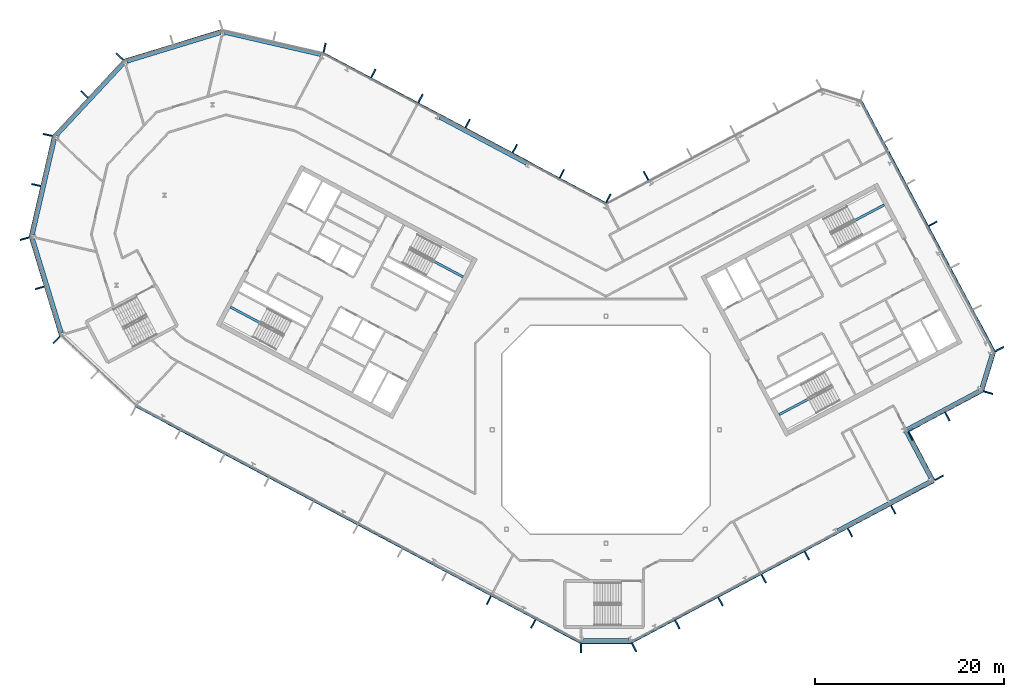
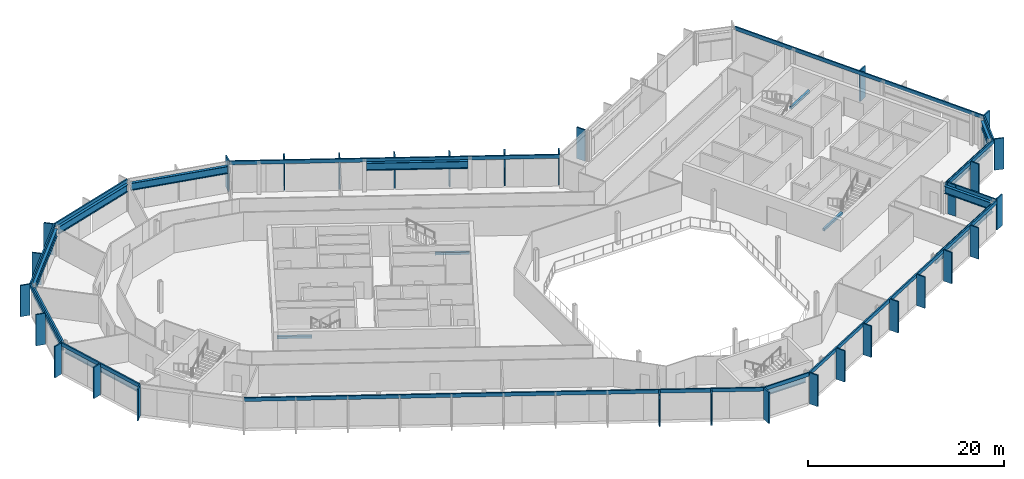
# One storey, part 9 of 26: 43 members, 15 beams, 15 elements without a shape of their own.
"""IFC4 building model written with IfcOpenShell, lengths in metres."""

from ifc_helpers import new_model, si_unit, direction, frame, origin, origin_2d, place, context, subcontext, project, spatial, rectangle, i_section, extrude, material, layer, layer_set, material_profile, profile_set, type_object, element, aggregate, save


model = new_model("IFC4")

# Units and contexts
model_context = context("Model", 3, precision=1e-05, world=origin(), true_north=direction((0.0, 1.0)))
body_context = subcontext(model_context, "Body", "Model", "MODEL_VIEW")
ifc_project = project(units=[si_unit("LENGTHUNIT", "METRE"), si_unit("AREAUNIT", "SQUARE_METRE"), si_unit("VOLUMEUNIT", "CUBIC_METRE"), si_unit("PLANEANGLEUNIT", "RADIAN"), si_unit("MASSUNIT", "GRAM", prefix="KILO")], contexts=[model_context])

# Site, building, storey
site_placement = place(None, origin())
site = spatial("IfcSite", under=ifc_project, at=site_placement, CompositionType="ELEMENT")
building_placement = place(site_placement, origin())
building = spatial("IfcBuilding", under=site, at=building_placement, Name="Cormorant Relay Tower", CompositionType="ELEMENT")
storey_placement = place(building_placement, frame((0.0, 0.0, 285.300048828125)))
storey = spatial("IfcBuildingStorey", under=building, at=storey_placement, Name="L64", CompositionType="ELEMENT", Elevation=285.300048828125)

# Curtain wall, member
ifc_material_1 = material(Name="Aluminium 6063-T6 anodised bronze", Category="aluminium")
ifc_layer = layer(ifc_material_1, 0.199951171875)
ifc_layer_set = layer_set([ifc_layer], Name="CW1 unitised bronze curtain wall with vertical fins")
curtain_wall_type = type_object("IfcCurtainWallType", Name="CW1 unitised bronze curtain wall with vertical fins", PredefinedType="NOTDEFINED", material=ifc_layer_set)
curtain_wall_1_placement = place(storey_placement, origin())
curtain_wall_1 = element("IfcCurtainWall", 1, at=curtain_wall_1_placement, inside=storey, type_object=curtain_wall_type, Name="CW1 curtain wall 1", PredefinedType="NOTDEFINED")
ifc_material_2 = material(Name="Aluminium 6063-T6 anodised bronze", Category="aluminium")
ifc_material_profile_1 = material_profile(ifc_material_2, rectangle(XDim=0.14990234375, YDim=1.0, at=origin_2d()), Name="AL 150x1000")
ifc_profile_set_1 = profile_set([ifc_material_profile_1], Name="Aluminium 6063-T6 anodised bronze")
member_type_1 = type_object("IfcMemberType", Name="CW1 bronze fin mullion 150 x 1000", PredefinedType="MULLION", material=ifc_profile_set_1)
member_1_placement = place(storey_placement, frame((-2.648681640625, -23.07568359375, 0.0), z_axis=(0.0, 0.0, 1.0), x_axis=(1.0, 0.0, 0.0)))
member_1 = element("IfcMember", 2, at=member_1_placement, type_object=member_type_1, Name="CW1 fin 1.1", PredefinedType="MULLION", context=body_context, shape_type="SweptSolid", body=[
    extrude(rectangle(XDim=0.14990234375, YDim=1.0, at=origin_2d()), origin(), (0.0, 0.0, 1.0), 3.89990234375),
])

# Curtain wall, members
curtain_wall_2_placement = place(storey_placement, origin())
curtain_wall_2 = element("IfcCurtainWall", 3, at=curtain_wall_2_placement, inside=storey, type_object=curtain_wall_type, Name="CW1 curtain wall 2", PredefinedType="NOTDEFINED")
member_2_placement = place(storey_placement, frame((2.9775390625, -22.99365234375, 0.0), z_axis=(0.0, 0.0, 1.0), x_axis=(0.882947592859, 0.469471562786, 0.0)))
member_2 = element("IfcMember", 4, at=member_2_placement, type_object=member_type_1, Name="CW1 fin 2.1", PredefinedType="MULLION", context=body_context, shape_type="SweptSolid", body=[
    extrude(rectangle(XDim=0.14990234375, YDim=1.0, at=origin_2d()), origin(), (0.0, 0.0, 1.0), 3.89990234375),
])
member_3_placement = place(storey_placement, frame((7.539306640625, -20.568115234375, 0.0), z_axis=(0.0, 0.0, 1.0), x_axis=(0.882947592859, 0.469471562786, 0.0)))
member_3 = element("IfcMember", 5, at=member_3_placement, type_object=member_type_1, Name="CW1 fin 2.2", PredefinedType="MULLION", context=body_context, shape_type="SweptSolid", body=[
    extrude(rectangle(XDim=0.14990234375, YDim=1.0, at=origin_2d()), origin(), (0.0, 0.0, 1.0), 3.89990234375),
])
member_4_placement = place(storey_placement, frame((12.10107421875, -18.142578125, 0.0), z_axis=(0.0, 0.0, 1.0), x_axis=(0.882947592859, 0.469471562786, 0.0)))
member_4 = element("IfcMember", 6, at=member_4_placement, type_object=member_type_1, Name="CW1 fin 2.3", PredefinedType="MULLION", context=body_context, shape_type="SweptSolid", body=[
    extrude(rectangle(XDim=0.14990234375, YDim=1.0, at=origin_2d()), origin(), (0.0, 0.0, 1.0), 3.89990234375),
])
member_5_placement = place(storey_placement, frame((16.662841796875, -15.717041015625, 0.0), z_axis=(0.0, 0.0, 1.0), x_axis=(0.882947592859, 0.469471562786, 0.0)))
member_5 = element("IfcMember", 7, at=member_5_placement, type_object=member_type_1, Name="CW1 fin 2.4", PredefinedType="MULLION", context=body_context, shape_type="SweptSolid", body=[
    extrude(rectangle(XDim=0.14990234375, YDim=1.0, at=origin_2d()), origin(), (0.0, 0.0, 1.0), 3.89990234375),
])
member_6_placement = place(storey_placement, frame((21.224609375, -13.29150390625, 0.0), z_axis=(0.0, 0.0, 1.0), x_axis=(0.882947592859, 0.469471562786, 0.0)))
member_6 = element("IfcMember", 8, at=member_6_placement, type_object=member_type_1, Name="CW1 fin 2.5", PredefinedType="MULLION", context=body_context, shape_type="SweptSolid", body=[
    extrude(rectangle(XDim=0.14990234375, YDim=1.0, at=origin_2d()), origin(), (0.0, 0.0, 1.0), 3.89990234375),
])
member_7_placement = place(storey_placement, frame((25.78662109375, -10.865966796875, 0.0), z_axis=(0.0, 0.0, 1.0), x_axis=(0.882947592859, 0.469471562786, 0.0)))
member_7 = element("IfcMember", 9, at=member_7_placement, type_object=member_type_1, Name="CW1 fin 2.6", PredefinedType="MULLION", context=body_context, shape_type="SweptSolid", body=[
    extrude(rectangle(XDim=0.14990234375, YDim=1.0, at=origin_2d()), origin(), (0.0, 0.0, 1.0), 3.89990234375),
])
member_8_placement = place(storey_placement, frame((30.348388671875, -8.440185546875, 0.0), z_axis=(0.0, 0.0, 1.0), x_axis=(0.882947592859, 0.469471562786, 0.0)))
member_8 = element("IfcMember", 10, at=member_8_placement, type_object=member_type_1, Name="CW1 fin 2.7", PredefinedType="MULLION", context=body_context, shape_type="SweptSolid", body=[
    extrude(rectangle(XDim=0.14990234375, YDim=1.0, at=origin_2d()), origin(), (0.0, 0.0, 1.0), 3.89990234375),
])

# Curtain wall, member
curtain_wall_3_placement = place(storey_placement, origin())
curtain_wall_3 = element("IfcCurtainWall", 11, at=curtain_wall_3_placement, inside=storey, type_object=curtain_wall_type, Name="CW1 curtain wall 3", PredefinedType="NOTDEFINED")
member_9_placement = place(storey_placement, frame((35.199462890625, -5.068115234375, 0.0), z_axis=(0.0, 0.0, 1.0), x_axis=(-0.469471562786, 0.882947592859, 0.0)))
member_9 = element("IfcMember", 12, at=member_9_placement, type_object=member_type_1, Name="CW1 fin 3.1", PredefinedType="MULLION", context=body_context, shape_type="SweptSolid", body=[
    extrude(rectangle(XDim=0.14990234375, YDim=1.0, at=origin_2d()), origin(), (0.0, 0.0, 1.0), 3.89990234375),
])

# Curtain wall, members
curtain_wall_4_placement = place(storey_placement, origin())
curtain_wall_4 = element("IfcCurtainWall", 13, at=curtain_wall_4_placement, inside=storey, type_object=curtain_wall_type, Name="CW1 curtain wall 4", PredefinedType="NOTDEFINED")
member_10_placement = place(storey_placement, frame((32.159423828125, -0.681884765625, 0.0), z_axis=(0.0, 0.0, 1.0), x_axis=(0.882947592859, 0.469471562786, 0.0)))
member_10 = element("IfcMember", 14, at=member_10_placement, type_object=member_type_1, Name="CW1 fin 4.1", PredefinedType="MULLION", context=body_context, shape_type="SweptSolid", body=[
    extrude(rectangle(XDim=0.14990234375, YDim=1.0, at=origin_2d()), origin(), (0.0, 0.0, 1.0), 3.89990234375),
])
member_11_placement = place(storey_placement, frame((36.06640625, 1.3955078125, 0.0), z_axis=(0.0, 0.0, 1.0), x_axis=(0.882947592859, 0.469471562786, 0.0)))
member_11 = element("IfcMember", 15, at=member_11_placement, type_object=member_type_1, Name="CW1 fin 4.2", PredefinedType="MULLION", context=body_context, shape_type="SweptSolid", body=[
    extrude(rectangle(XDim=0.14990234375, YDim=1.0, at=origin_2d()), origin(), (0.0, 0.0, 1.0), 3.89990234375),
])

# Curtain wall, member
curtain_wall_5_placement = place(storey_placement, origin())
curtain_wall_5 = element("IfcCurtainWall", 16, at=curtain_wall_5_placement, inside=storey, type_object=curtain_wall_type, Name="CW1 curtain wall 5", PredefinedType="NOTDEFINED")
member_12_placement = place(storey_placement, frame((40.380615234375, 3.921630859375, 0.0), z_axis=(0.0, 0.0, 1.0), x_axis=(0.292371704723, 0.956304755963, 0.0)))
member_12 = element("IfcMember", 17, at=member_12_placement, type_object=member_type_1, Name="CW1 fin 5.1", PredefinedType="MULLION", context=body_context, shape_type="SweptSolid", body=[
    extrude(rectangle(XDim=0.14990234375, YDim=1.0, at=origin_2d()), origin(), (0.0, 0.0, 1.0), 3.89990234375),
])

# Curtain wall, members
curtain_wall_6_placement = place(storey_placement, origin())
curtain_wall_6 = element("IfcCurtainWall", 18, at=curtain_wall_6_placement, inside=storey, type_object=curtain_wall_type, Name="CW1 curtain wall 6", PredefinedType="NOTDEFINED")
member_13_placement = place(storey_placement, frame((41.569580078125, 8.51220703125, 0.0), z_axis=(0.0, 0.0, 1.0), x_axis=(-0.469471562786, 0.882947592859, 0.0)))
member_13 = element("IfcMember", 19, at=member_13_placement, type_object=member_type_1, Name="CW1 fin 6.1", PredefinedType="MULLION", context=body_context, shape_type="SweptSolid", body=[
    extrude(rectangle(XDim=0.14990234375, YDim=1.0, at=origin_2d()), origin(), (0.0, 0.0, 1.0), 3.89990234375),
])
member_14_placement = place(storey_placement, frame((34.527587890625, 21.75634765625, 0.0), z_axis=(0.0, 0.0, 1.0), x_axis=(-0.469471562786, 0.882947592859, 0.0)))
member_14 = element("IfcMember", 20, at=member_14_placement, type_object=member_type_1, Name="CW1 fin 6.4", PredefinedType="MULLION", context=body_context, shape_type="SweptSolid", body=[
    extrude(rectangle(XDim=0.14990234375, YDim=1.0, at=origin_2d()), origin(), (0.0, 0.0, 1.0), 3.89990234375),
])

# Curtain wall, member
curtain_wall_7_placement = place(storey_placement, origin())
curtain_wall_7 = element("IfcCurtainWall", 21, at=curtain_wall_7_placement, inside=storey, type_object=curtain_wall_type, Name="CW1 curtain wall 8", PredefinedType="NOTDEFINED")
member_15_placement = place(storey_placement, frame((4.2333984375, 26.82763671875, 0.0), z_axis=(0.0, 0.0, 1.0), x_axis=(-0.882947592859, -0.469471562786, 0.0)))
member_15 = element("IfcMember", 22, at=member_15_placement, type_object=member_type_1, Name="CW1 fin 8.5", PredefinedType="MULLION", context=body_context, shape_type="SweptSolid", body=[
    extrude(rectangle(XDim=0.14990234375, YDim=1.0, at=origin_2d()), origin(), (0.0, 0.0, 1.0), 3.89990234375),
])
aggregate(curtain_wall_7, [member_15])

# Curtain wall, members
curtain_wall_8_placement = place(storey_placement, origin())
curtain_wall_8 = element("IfcCurtainWall", 23, at=curtain_wall_8_placement, inside=storey, type_object=curtain_wall_type, Name="CW1 curtain wall 9", PredefinedType="NOTDEFINED")
member_16_placement = place(storey_placement, frame((0.262451171875, 24.437255859375, 0.0), z_axis=(0.0, 0.0, 1.0), x_axis=(-0.882947592859, 0.469471562786, 0.0)))
member_16 = element("IfcMember", 24, at=member_16_placement, type_object=member_type_1, Name="CW1 fin 9.1", PredefinedType="MULLION", context=body_context, shape_type="SweptSolid", body=[
    extrude(rectangle(XDim=0.14990234375, YDim=1.0, at=origin_2d()), origin(), (0.0, 0.0, 1.0), 3.89990234375),
])
member_17_placement = place(storey_placement, frame((-4.650390625, 27.04931640625, 0.0), z_axis=(0.0, 0.0, 1.0), x_axis=(-0.882947592859, 0.469471562786, 0.0)))
member_17 = element("IfcMember", 25, at=member_17_placement, type_object=member_type_1, Name="CW1 fin 9.2", PredefinedType="MULLION", context=body_context, shape_type="SweptSolid", body=[
    extrude(rectangle(XDim=0.14990234375, YDim=1.0, at=origin_2d()), origin(), (0.0, 0.0, 1.0), 3.89990234375),
])
member_18_placement = place(storey_placement, frame((-9.62939453125, 29.69677734375, 0.0), z_axis=(0.0, 0.0, 1.0), x_axis=(-0.882947592859, 0.469471562786, 0.0)))
member_18 = element("IfcMember", 26, at=member_18_placement, type_object=member_type_1, Name="CW1 fin 9.3", PredefinedType="MULLION", context=body_context, shape_type="SweptSolid", body=[
    extrude(rectangle(XDim=0.14990234375, YDim=1.0, at=origin_2d()), origin(), (0.0, 0.0, 1.0), 3.89990234375),
])
member_19_placement = place(storey_placement, frame((-14.608154296875, 32.343994140625, 0.0), z_axis=(0.0, 0.0, 1.0), x_axis=(-0.882947592859, 0.469471562786, 0.0)))
member_19 = element("IfcMember", 27, at=member_19_placement, type_object=member_type_1, Name="CW1 fin 9.4", PredefinedType="MULLION", context=body_context, shape_type="SweptSolid", body=[
    extrude(rectangle(XDim=0.14990234375, YDim=1.0, at=origin_2d()), origin(), (0.0, 0.0, 1.0), 3.89990234375),
])
member_20_placement = place(storey_placement, frame((-19.587158203125, 34.991455078125, 0.0), z_axis=(0.0, 0.0, 1.0), x_axis=(-0.882947592859, 0.469471562786, 0.0)))
member_20 = element("IfcMember", 28, at=member_20_placement, type_object=member_type_1, Name="CW1 fin 9.5", PredefinedType="MULLION", context=body_context, shape_type="SweptSolid", body=[
    extrude(rectangle(XDim=0.14990234375, YDim=1.0, at=origin_2d()), origin(), (0.0, 0.0, 1.0), 3.89990234375),
])
member_21_placement = place(storey_placement, frame((-24.566162109375, 37.638916015625, 0.0), z_axis=(0.0, 0.0, 1.0), x_axis=(-0.882947592859, 0.469471562786, 0.0)))
member_21 = element("IfcMember", 29, at=member_21_placement, type_object=member_type_1, Name="CW1 fin 9.6", PredefinedType="MULLION", context=body_context, shape_type="SweptSolid", body=[
    extrude(rectangle(XDim=0.14990234375, YDim=1.0, at=origin_2d()), origin(), (0.0, 0.0, 1.0), 3.89990234375),
])

# Curtain wall, member
curtain_wall_9_placement = place(storey_placement, origin())
curtain_wall_9 = element("IfcCurtainWall", 30, at=curtain_wall_9_placement, inside=storey, type_object=curtain_wall_type, Name="CW1 curtain wall 10", PredefinedType="NOTDEFINED")
member_22_placement = place(storey_placement, frame((-29.71630859375, 40.35009765625, 0.0), z_axis=(0.0, 0.0, 1.0), x_axis=(-0.974370064785, 0.224951054344, 0.0)))
member_22 = element("IfcMember", 31, at=member_22_placement, type_object=member_type_1, Name="CW1 fin 10.1", PredefinedType="MULLION", context=body_context, shape_type="SweptSolid", body=[
    extrude(rectangle(XDim=0.14990234375, YDim=1.0, at=origin_2d()), origin(), (0.0, 0.0, 1.0), 3.89990234375),
])
aggregate(curtain_wall_9, [member_22])

# Curtain wall, members
curtain_wall_10_placement = place(storey_placement, origin())
curtain_wall_10 = element("IfcCurtainWall", 32, at=curtain_wall_10_placement, inside=storey, type_object=curtain_wall_type, Name="CW1 curtain wall 12", PredefinedType="NOTDEFINED")
member_23_placement = place(storey_placement, frame((-51.372802734375, 39.41259765625, 0.0), z_axis=(0.0, 0.0, 1.0), x_axis=(-0.681998360062, -0.731353701619, 0.0)))
member_23 = element("IfcMember", 33, at=member_23_placement, type_object=member_type_1, Name="CW1 fin 12.1", PredefinedType="MULLION", context=body_context, shape_type="SweptSolid", body=[
    extrude(rectangle(XDim=0.14990234375, YDim=1.0, at=origin_2d()), origin(), (0.0, 0.0, 1.0), 3.89990234375),
])
member_24_placement = place(storey_placement, frame((-55.07958984375, 35.4375, 0.0), z_axis=(0.0, 0.0, 1.0), x_axis=(-0.681998360062, -0.731353701619, 0.0)))
member_24 = element("IfcMember", 34, at=member_24_placement, type_object=member_type_1, Name="CW1 fin 12.2", PredefinedType="MULLION", context=body_context, shape_type="SweptSolid", body=[
    extrude(rectangle(XDim=0.14990234375, YDim=1.0, at=origin_2d()), origin(), (0.0, 0.0, 1.0), 3.89990234375),
])

curtain_wall_11_placement = place(storey_placement, origin())
curtain_wall_11 = element("IfcCurtainWall", 35, at=curtain_wall_11_placement, inside=storey, type_object=curtain_wall_type, Name="CW1 curtain wall 13", PredefinedType="NOTDEFINED")
member_25_placement = place(storey_placement, frame((-58.95654296875, 31.142578125, 0.0), z_axis=(0.0, 0.0, 1.0), x_axis=(-0.224951054344, -0.974370064785, 0.0)))
member_25 = element("IfcMember", 36, at=member_25_placement, type_object=member_type_1, Name="CW1 fin 13.1", PredefinedType="MULLION", context=body_context, shape_type="SweptSolid", body=[
    extrude(rectangle(XDim=0.14990234375, YDim=1.0, at=origin_2d()), origin(), (0.0, 0.0, 1.0), 3.89990234375),
])
member_26_placement = place(storey_placement, frame((-60.17919921875, 25.8466796875, 0.0), z_axis=(0.0, 0.0, 1.0), x_axis=(-0.224951054344, -0.974370064785, 0.0)))
member_26 = element("IfcMember", 37, at=member_26_placement, type_object=member_type_1, Name="CW1 fin 13.2", PredefinedType="MULLION", context=body_context, shape_type="SweptSolid", body=[
    extrude(rectangle(XDim=0.14990234375, YDim=1.0, at=origin_2d()), origin(), (0.0, 0.0, 1.0), 3.89990234375),
])

curtain_wall_12_placement = place(storey_placement, origin())
curtain_wall_12 = element("IfcCurtainWall", 38, at=curtain_wall_12_placement, inside=storey, type_object=curtain_wall_type, Name="CW1 curtain wall 14", PredefinedType="NOTDEFINED")
member_27_placement = place(storey_placement, frame((-61.389404296875, 20.188720703125, 0.0), z_axis=(0.0, 0.0, 1.0), x_axis=(0.292371704723, -0.956304755963, 0.0)))
member_27 = element("IfcMember", 39, at=member_27_placement, type_object=member_type_1, Name="CW1 fin 14.1", PredefinedType="MULLION", context=body_context, shape_type="SweptSolid", body=[
    extrude(rectangle(XDim=0.14990234375, YDim=1.0, at=origin_2d()), origin(), (0.0, 0.0, 1.0), 3.89990234375),
])
member_28_placement = place(storey_placement, frame((-59.80029296875, 14.990966796875, 0.0), z_axis=(0.0, 0.0, 1.0), x_axis=(0.292371704723, -0.956304755963, 0.0)))
member_28 = element("IfcMember", 40, at=member_28_placement, type_object=member_type_1, Name="CW1 fin 14.2", PredefinedType="MULLION", context=body_context, shape_type="SweptSolid", body=[
    extrude(rectangle(XDim=0.14990234375, YDim=1.0, at=origin_2d()), origin(), (0.0, 0.0, 1.0), 3.89990234375),
])

# Curtain wall, member
curtain_wall_13_placement = place(storey_placement, origin())
curtain_wall_13 = element("IfcCurtainWall", 41, at=curtain_wall_13_placement, inside=storey, type_object=curtain_wall_type, Name="CW1 curtain wall 15", PredefinedType="NOTDEFINED")
member_29_placement = place(storey_placement, frame((-58.01904296875, 9.486083984375, 0.0), z_axis=(0.0, 0.0, 1.0), x_axis=(0.731353701619, -0.681998360062, 0.0)))
member_29 = element("IfcMember", 42, at=member_29_placement, type_object=member_type_1, Name="CW1 fin 15.1", PredefinedType="MULLION", context=body_context, shape_type="SweptSolid", body=[
    extrude(rectangle(XDim=0.14990234375, YDim=1.0, at=origin_2d()), origin(), (0.0, 0.0, 1.0), 3.89990234375),
])
aggregate(curtain_wall_13, [member_29])

# Curtain wall, members
curtain_wall_14_placement = place(storey_placement, origin())
curtain_wall_14 = element("IfcCurtainWall", 43, at=curtain_wall_14_placement, inside=storey, type_object=curtain_wall_type, Name="CW1 curtain wall 16", PredefinedType="NOTDEFINED")
member_30_placement = place(storey_placement, frame((-12.365966796875, -18.001708984375, 0.0), z_axis=(0.0, 0.0, 1.0), x_axis=(0.882947592859, -0.469471562786, 0.0)))
member_30 = element("IfcMember", 44, at=member_30_placement, type_object=member_type_1, Name="CW1 fin 16.9", PredefinedType="MULLION", context=body_context, shape_type="SweptSolid", body=[
    extrude(rectangle(XDim=0.14990234375, YDim=1.0, at=origin_2d()), origin(), (0.0, 0.0, 1.0), 3.89990234375),
])
member_31_placement = place(storey_placement, frame((-7.671630859375, -20.49755859375, 0.0), z_axis=(0.0, 0.0, 1.0), x_axis=(0.882947592859, -0.469471562786, 0.0)))
member_31 = element("IfcMember", 45, at=member_31_placement, type_object=member_type_1, Name="CW1 fin 16.10", PredefinedType="MULLION", context=body_context, shape_type="SweptSolid", body=[
    extrude(rectangle(XDim=0.14990234375, YDim=1.0, at=origin_2d()), origin(), (0.0, 0.0, 1.0), 3.89990234375),
])

# Member
ifc_material_3 = material(Name="Aluminium 6063-T6 anodised bronze", Category="aluminium")
ifc_material_profile_2 = material_profile(ifc_material_3, rectangle(XDim=0.159912109375, YDim=0.449951171875, at=origin_2d()), Name="AL 160x450")
ifc_profile_set_2 = profile_set([ifc_material_profile_2], Name="Aluminium 6063-T6 anodised bronze")
member_type_2 = type_object("IfcMemberType", Name="CW1 bronze transom 160 x 450", PredefinedType="USERDEFINED", material=ifc_profile_set_2)
member_32_placement = place(storey_placement, frame((-2.648681640625, -22.49560546875, 3.675048828125), z_axis=(1.0, 0.0, 0.0), x_axis=(0.0, 1.0, 0.0)))
member_32 = element("IfcMember", 46, at=member_32_placement, type_object=member_type_2, Name="CW1 transom 1", ObjectType="TRANSOM", PredefinedType="USERDEFINED", context=body_context, shape_type="SweptSolid", body=[
    extrude(rectangle(XDim=0.159912109375, YDim=0.449951171875, at=origin_2d()), origin(), (0.0, 0.0, 1.0), 5.29736328125),
])

aggregate(curtain_wall_1, [member_1, member_32])

member_33_placement = place(storey_placement, frame((2.705078125, -22.4814453125, 3.675048828125), z_axis=(0.882948899141, 0.469469106018, 0.0), x_axis=(-0.469469106018, 0.882948899141, 0.0)))
member_33 = element("IfcMember", 47, at=member_33_placement, type_object=member_type_2, Name="CW1 transom 2", ObjectType="TRANSOM", PredefinedType="USERDEFINED", context=body_context, shape_type="SweptSolid", body=[
    extrude(rectangle(XDim=0.159912109375, YDim=0.449951171875, at=origin_2d()), origin(), (0.0, 0.0, 1.0), 36.165771484375),
])

aggregate(curtain_wall_2, [member_2, member_3, member_4, member_5, member_6, member_7, member_8, member_33])

member_34_placement = place(storey_placement, frame((34.6875, -5.34033203125, 3.675048828125), z_axis=(-0.469485426614, 0.882940221191, 0.0), x_axis=(-0.882940221191, -0.469485426614, 0.0)))
member_34 = element("IfcMember", 48, at=member_34_placement, type_object=member_type_2, Name="CW1 transom 3", ObjectType="TRANSOM", PredefinedType="USERDEFINED", context=body_context, shape_type="SweptSolid", body=[
    extrude(rectangle(XDim=0.159912109375, YDim=0.449951171875, at=origin_2d()), origin(), (0.0, 0.0, 1.0), 6.0),
])

aggregate(curtain_wall_3, [member_9, member_34])

member_35_placement = place(storey_placement, frame((31.82080078125, -0.205078125, 3.675048828125), z_axis=(0.882949189538, 0.469468559857, 0.0), x_axis=(-0.469468559857, 0.882949189538, 0.0)))
member_35 = element("IfcMember", 49, at=member_35_placement, type_object=member_type_2, Name="CW1 transom 4", ObjectType="TRANSOM", PredefinedType="USERDEFINED", context=body_context, shape_type="SweptSolid", body=[
    extrude(rectangle(XDim=0.159912109375, YDim=0.449951171875, at=origin_2d()), origin(), (0.0, 0.0, 1.0), 9.000244140625),
])

aggregate(curtain_wall_4, [member_10, member_11, member_35])

member_36_placement = place(storey_placement, frame((39.825927734375, 4.091064453125, 3.675048828125), z_axis=(0.292374957137, 0.956303761594, 0.0), x_axis=(-0.956303761594, 0.292374957137, 0.0)))
member_36 = element("IfcMember", 50, at=member_36_placement, type_object=member_type_2, Name="CW1 transom 5", ObjectType="TRANSOM", PredefinedType="USERDEFINED", context=body_context, shape_type="SweptSolid", body=[
    extrude(rectangle(XDim=0.159912109375, YDim=0.449951171875, at=origin_2d()), origin(), (0.0, 0.0, 1.0), 4.24267578125),
])

aggregate(curtain_wall_5, [member_12, member_36])

member_37_placement = place(storey_placement, frame((41.0576171875, 8.23974609375, 3.675048828125), z_axis=(-0.469472335483, 0.882947182008, 0.0), x_axis=(-0.882947182008, -0.469472335483, 0.0)))
member_37 = element("IfcMember", 51, at=member_37_placement, type_object=member_type_2, Name="CW1 transom 6", ObjectType="TRANSOM", PredefinedType="USERDEFINED", context=body_context, shape_type="SweptSolid", body=[
    extrude(rectangle(XDim=0.159912109375, YDim=0.449951171875, at=origin_2d()), origin(), (0.0, 0.0, 1.0), 30.000244140625),
])

aggregate(curtain_wall_6, [member_13, member_14, member_37])

member_38_placement = place(storey_placement, frame((0.056396484375, 23.889892578125, 3.675048828125), z_axis=(-0.882946280328, 0.46947403129, 0.0), x_axis=(-0.46947403129, -0.882946280328, 0.0)))
member_38 = element("IfcMember", 52, at=member_38_placement, type_object=member_type_2, Name="CW1 transom 9", ObjectType="TRANSOM", PredefinedType="USERDEFINED", context=body_context, shape_type="SweptSolid", body=[
    extrude(rectangle(XDim=0.159912109375, YDim=0.449951171875, at=origin_2d()), origin(), (0.0, 0.0, 1.0), 33.834228515625),
])

aggregate(curtain_wall_8, [member_16, member_17, member_18, member_19, member_20, member_21, member_38])

# Curtain wall, member
curtain_wall_15_placement = place(storey_placement, origin())
curtain_wall_15 = element("IfcCurtainWall", 53, at=curtain_wall_15_placement, inside=storey, type_object=curtain_wall_type, Name="CW1 curtain wall 11", PredefinedType="NOTDEFINED")
member_39_placement = place(storey_placement, frame((-40.50048828125, 42.228271484375, 3.675048828125), z_axis=(-0.956304833932, -0.292371449698, 0.0), x_axis=(0.292371449698, -0.956304833932, 0.0)))
member_39 = element("IfcMember", 54, at=member_39_placement, type_object=member_type_2, Name="CW1 transom 11", ObjectType="TRANSOM", PredefinedType="USERDEFINED", context=body_context, shape_type="SweptSolid", body=[
    extrude(rectangle(XDim=0.159912109375, YDim=0.449951171875, at=origin_2d()), origin(), (0.0, 0.0, 1.0), 10.87060546875),
])
aggregate(curtain_wall_15, [member_39])

# Member
member_40_placement = place(storey_placement, frame((-50.94873046875, 39.01708984375, 3.675048828125), z_axis=(-0.681993299437, -0.731358420696, 0.0), x_axis=(0.731358420696, -0.681993299437, 0.0)))
member_40 = element("IfcMember", 55, at=member_40_placement, type_object=member_type_2, Name="CW1 transom 12", ObjectType="TRANSOM", PredefinedType="USERDEFINED", context=body_context, shape_type="SweptSolid", body=[
    extrude(rectangle(XDim=0.159912109375, YDim=0.449951171875, at=origin_2d()), origin(), (0.0, 0.0, 1.0), 10.870361328125),
])

aggregate(curtain_wall_10, [member_23, member_24, member_40])

member_41_placement = place(storey_placement, frame((-58.3916015625, 31.01220703125, 3.675048828125), z_axis=(-0.22495136131, -0.974369993916, 0.0), x_axis=(0.974369993916, -0.22495136131, 0.0)))
member_41 = element("IfcMember", 56, at=member_41_placement, type_object=member_type_2, Name="CW1 transom 13", ObjectType="TRANSOM", PredefinedType="USERDEFINED", context=body_context, shape_type="SweptSolid", body=[
    extrude(rectangle(XDim=0.159912109375, YDim=0.449951171875, at=origin_2d()), origin(), (0.0, 0.0, 1.0), 10.870361328125),
])

aggregate(curtain_wall_11, [member_25, member_26, member_41])

member_42_placement = place(storey_placement, frame((-60.834716796875, 20.358154296875, 3.675048828125), z_axis=(0.292377729282, -0.95630291405, 0.0), x_axis=(0.95630291405, 0.292377729282, 0.0)))
member_42 = element("IfcMember", 57, at=member_42_placement, type_object=member_type_2, Name="CW1 transom 14", ObjectType="TRANSOM", PredefinedType="USERDEFINED", context=body_context, shape_type="SweptSolid", body=[
    extrude(rectangle(XDim=0.159912109375, YDim=0.449951171875, at=origin_2d()), origin(), (0.0, 0.0, 1.0), 10.870361328125),
])

aggregate(curtain_wall_12, [member_27, member_28, member_42])

member_43_placement = place(storey_placement, frame((-49.64794921875, 2.478515625, 3.675048828125), z_axis=(0.882947642542, -0.469471469346, 0.0), x_axis=(0.469471469346, 0.882947642542, 0.0)))
member_43 = element("IfcMember", 58, at=member_43_placement, type_object=member_type_2, Name="CW1 transom 16", ObjectType="TRANSOM", PredefinedType="USERDEFINED", context=body_context, shape_type="SweptSolid", body=[
    extrude(rectangle(XDim=0.159912109375, YDim=0.449951171875, at=origin_2d()), origin(), (0.0, 0.0, 1.0), 53.166015625),
])

aggregate(curtain_wall_14, [member_30, member_31, member_43])

# Beams
ifc_material_4 = material(Name="Steel ASTM A992 (Fy 345 MPa)", Category="steel")
ifc_material_profile_3 = material_profile(ifc_material_4, i_section(OverallWidth=0.307373046875, OverallDepth=0.927001953125, WebThickness=0.019287109375, FlangeThickness=0.031982421875, FilletRadius=0.01904296875, at=origin_2d()), Name="W920x289")
ifc_profile_set_3 = profile_set([ifc_material_profile_3], Name="Steel ASTM A992 (Fy 345 MPa)")
beam_type_1 = type_object("IfcBeamType", Name="Spandrel W920x289", PredefinedType="SPANDREL", material=ifc_profile_set_3)
beam_1_placement = place(storey_placement, frame((-2.377197265625, -22.221923828125, 3.076416015625), z_axis=(1.0, 0.0, 0.0), x_axis=(0.0, 1.0, 0.0)))
element("IfcBeam", 59, at=beam_1_placement, inside=storey, type_object=beam_type_1, Name="Spandrel beam L64-001", PredefinedType="SPANDREL", context=body_context, shape_type="SweptSolid", body=[
    extrude(i_section(OverallWidth=0.307373046875, OverallDepth=0.927001953125, WebThickness=0.019287109375, FlangeThickness=0.031982421875, FilletRadius=0.01904296875, at=origin_2d()), origin(), (0.0, 0.0, 1.0), 4.79541015625),
])
beam_2_placement = place(storey_placement, frame((24.44287109375, -10.61328125, 3.076416015625), z_axis=(0.882957797597, 0.469452369961, 0.0), x_axis=(-0.469452369961, 0.882957797597, 0.0)))
element("IfcBeam", 60, at=beam_2_placement, inside=storey, type_object=beam_type_1, Name="Spandrel beam L64-002", PredefinedType="SPANDREL", context=body_context, shape_type="SweptSolid", body=[
    extrude(i_section(OverallWidth=0.307373046875, OverallDepth=0.927001953125, WebThickness=0.019287109375, FlangeThickness=0.031982421875, FilletRadius=0.01904296875, at=origin_2d()), origin(), (0.0, 0.0, 1.0), 10.992431640625),
])
beam_3_placement = place(storey_placement, frame((34.254638671875, -5.109619140625, 3.076416015625), z_axis=(-0.469457325339, 0.882955162897, 0.0), x_axis=(-0.882955162897, -0.469457325339, 0.0)))
element("IfcBeam", 61, at=beam_3_placement, inside=storey, type_object=beam_type_1, Name="Spandrel beam L64-003", PredefinedType="SPANDREL", context=body_context, shape_type="SweptSolid", body=[
    extrude(i_section(OverallWidth=0.307373046875, OverallDepth=0.927001953125, WebThickness=0.019287109375, FlangeThickness=0.031982421875, FilletRadius=0.01904296875, at=origin_2d()), origin(), (0.0, 0.0, 1.0), 5.593017578125),
])
beam_4_placement = place(storey_placement, frame((31.6923828125, 0.03662109375, 3.076416015625), z_axis=(0.882943393008, 0.469479461472, 0.0), x_axis=(-0.469479461472, 0.882943393008, 0.0)))
element("IfcBeam", 62, at=beam_4_placement, inside=storey, type_object=beam_type_1, Name="Spandrel beam L64-004", PredefinedType="SPANDREL", context=body_context, shape_type="SweptSolid", body=[
    extrude(i_section(OverallWidth=0.307373046875, OverallDepth=0.927001953125, WebThickness=0.019287109375, FlangeThickness=0.031982421875, FilletRadius=0.01904296875, at=origin_2d()), origin(), (0.0, 0.0, 1.0), 8.734375),
])
beam_5_placement = place(storey_placement, frame((39.6591796875, 4.4814453125, 3.076416015625), z_axis=(0.292323829151, 0.956319391684, 0.0), x_axis=(-0.956319391684, 0.292323829151, 0.0)))
element("IfcBeam", 63, at=beam_5_placement, inside=storey, type_object=beam_type_1, Name="Spandrel beam L64-005", PredefinedType="SPANDREL", context=body_context, shape_type="SweptSolid", body=[
    extrude(i_section(OverallWidth=0.307373046875, OverallDepth=0.927001953125, WebThickness=0.019287109375, FlangeThickness=0.031982421875, FilletRadius=0.01904296875, at=origin_2d()), origin(), (0.0, 0.0, 1.0), 3.652099609375),
])
beam_6_placement = place(storey_placement, frame((-8.401611328125, 28.0771484375, 3.076416015625), z_axis=(-0.882945471565, 0.469475552338, 0.0), x_axis=(-0.469475552338, -0.882945471565, 0.0)))
element("IfcBeam", 64, at=beam_6_placement, inside=storey, type_object=beam_type_1, Name="Spandrel beam L64-009", PredefinedType="SPANDREL", context=body_context, shape_type="SweptSolid", body=[
    extrude(i_section(OverallWidth=0.307373046875, OverallDepth=0.927001953125, WebThickness=0.019287109375, FlangeThickness=0.031982421875, FilletRadius=0.01904296875, at=origin_2d()), origin(), (0.0, 0.0, 1.0), 10.401123046875),
])
beam_7_placement = place(storey_placement, frame((-30.138427734375, 39.571533203125, 3.076416015625), z_axis=(-0.97437021882, 0.224950387145, 0.0), x_axis=(-0.224950387145, -0.97437021882, 0.0)))
element("IfcBeam", 65, at=beam_7_placement, inside=storey, type_object=beam_type_1, Name="Spandrel beam L64-010", PredefinedType="SPANDREL", context=body_context, shape_type="SweptSolid", body=[
    extrude(i_section(OverallWidth=0.307373046875, OverallDepth=0.927001953125, WebThickness=0.019287109375, FlangeThickness=0.031982421875, FilletRadius=0.01904296875, at=origin_2d()), origin(), (0.0, 0.0, 1.0), 10.3984375),
])
beam_8_placement = place(storey_placement, frame((-40.68505859375, 41.8857421875, 3.076416015625), z_axis=(-0.956304903575, -0.292371221906, 0.0), x_axis=(0.292371221906, -0.956304903575, 0.0)))
element("IfcBeam", 66, at=beam_8_placement, inside=storey, type_object=beam_type_1, Name="Spandrel beam L64-011", PredefinedType="SPANDREL", context=body_context, shape_type="SweptSolid", body=[
    extrude(i_section(OverallWidth=0.307373046875, OverallDepth=0.927001953125, WebThickness=0.019287109375, FlangeThickness=0.031982421875, FilletRadius=0.01904296875, at=origin_2d()), origin(), (0.0, 0.0, 1.0), 10.358642578125),
])
beam_9_placement = place(storey_placement, frame((-50.9375, 38.627685546875, 3.076416015625), z_axis=(-0.682009982741, -0.731342863124, 0.0), x_axis=(0.731342863124, -0.682009982741, 0.0)))
element("IfcBeam", 67, at=beam_9_placement, inside=storey, type_object=beam_type_1, Name="Spandrel beam L64-012", PredefinedType="SPANDREL", context=body_context, shape_type="SweptSolid", body=[
    extrude(i_section(OverallWidth=0.307373046875, OverallDepth=0.927001953125, WebThickness=0.019287109375, FlangeThickness=0.031982421875, FilletRadius=0.01904296875, at=origin_2d()), origin(), (0.0, 0.0, 1.0), 10.35791015625),
])
beam_10_placement = place(storey_placement, frame((-58.18701171875, 30.680908203125, 3.076416015625), z_axis=(-0.224955895786, -0.974368947038, 0.0), x_axis=(0.974368947038, -0.224955895786, 0.0)))
element("IfcBeam", 68, at=beam_10_placement, inside=storey, type_object=beam_type_1, Name="Spandrel beam L64-013", PredefinedType="SPANDREL", context=body_context, shape_type="SweptSolid", body=[
    extrude(i_section(OverallWidth=0.307373046875, OverallDepth=0.927001953125, WebThickness=0.019287109375, FlangeThickness=0.031982421875, FilletRadius=0.01904296875, at=origin_2d()), origin(), (0.0, 0.0, 1.0), 10.359130859375),
])
beam_11_placement = place(storey_placement, frame((-60.49169921875, 20.1728515625, 3.076416015625), z_axis=(0.292367651593, -0.95630599512, 0.0), x_axis=(0.95630599512, 0.292367651593, 0.0)))
element("IfcBeam", 69, at=beam_11_placement, inside=storey, type_object=beam_type_1, Name="Spandrel beam L64-014", PredefinedType="SPANDREL", context=body_context, shape_type="SweptSolid", body=[
    extrude(i_section(OverallWidth=0.307373046875, OverallDepth=0.927001953125, WebThickness=0.019287109375, FlangeThickness=0.031982421875, FilletRadius=0.01904296875, at=origin_2d()), origin(), (0.0, 0.0, 1.0), 10.357177734375),
])
ifc_material_5 = material(Name="Concrete 50 MPa", Category="concrete")
ifc_material_profile_4 = material_profile(ifc_material_5, rectangle(XDim=0.25, YDim=0.300048828125, at=origin_2d()), Name="RC 250x300")
ifc_profile_set_4 = profile_set([ifc_material_profile_4], Name="Concrete 50 MPa")
beam_type_2 = type_object("IfcBeamType", Name="Stair landing ledge beam 250x300", PredefinedType="BEAM", material=ifc_profile_set_4)
beam_12_placement = place(storey_placement, frame((-18.219482421875, 17.813720703125, 1.599853515625), z_axis=(0.882950035608, -0.469466968614, 0.0), x_axis=(0.469466968614, 0.882950035608, 0.0)))
element("IfcBeam", 70, at=beam_12_placement, inside=storey, type_object=beam_type_2, Name="A1 landing ledge beam", PredefinedType="BEAM", context=body_context, shape_type="SweptSolid", body=[
    extrude(rectangle(XDim=0.25, YDim=0.300048828125, at=origin_2d()), origin(), (0.0, 0.0, 1.0), 3.5498046875),
])
for number, where, z_axis, x_axis, name in (
    (71, (-36.523193359375, 11.29345703125, 1.599853515625), (-0.88293668587, 0.469492075273, 0.0), (-0.469492075273, -0.88293668587, 0.0), "A2 landing ledge beam"),
    (72, (21.4248046875, 3.265380859375, 1.599853515625), (-0.88296519247, -0.469438461235, 0.0), (0.469438461235, -0.88296519247, 0.0), "B1 landing ledge beam"),
    (73, (26.25439453125, 22.0859375, 1.599853515625), (0.88296519247, 0.469438461235, 0.0), (-0.469438461235, 0.88296519247, 0.0), "B2 landing ledge beam"),
):
    element("IfcBeam", number, at=place(storey_placement, frame(where, z_axis=z_axis, x_axis=x_axis)), inside=storey, type_object=beam_type_2, Name=name, PredefinedType="BEAM", context=body_context, shape_type="SweptSolid", body=[
        extrude(rectangle(XDim=0.25, YDim=0.300048828125, at=origin_2d()), origin(), (0.0, 0.0, 1.0), 3.550048828125),
    ])

save(model, "model.ifc")
